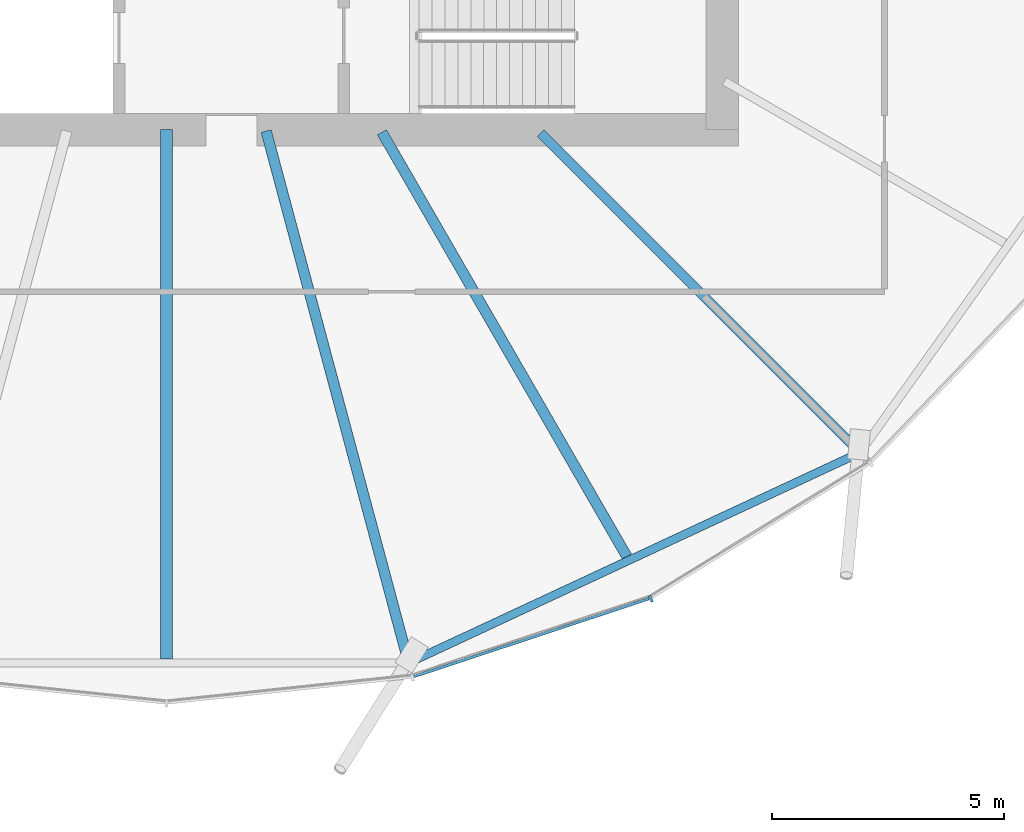
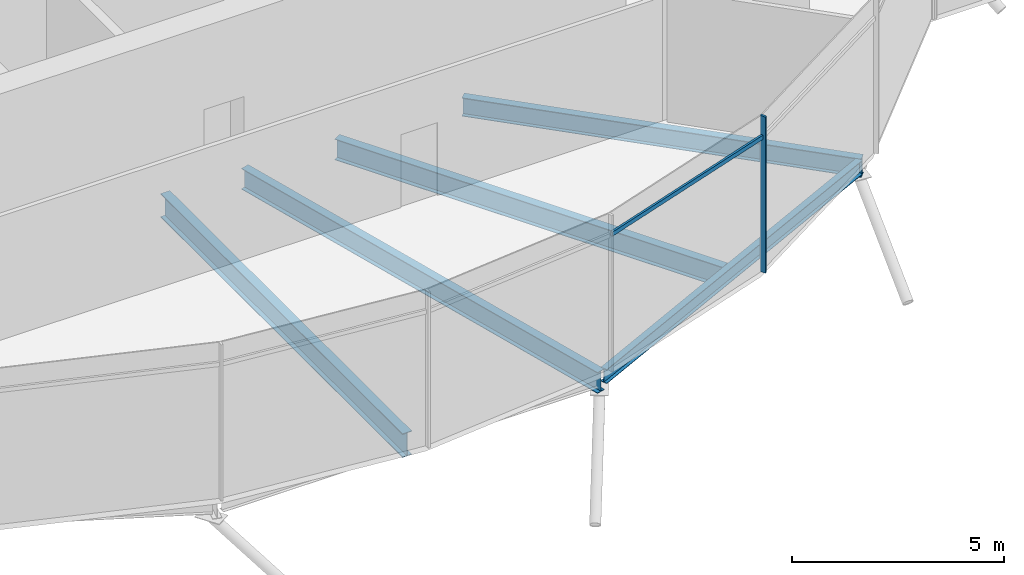
# One storey, part 4 of 36: 5 beams, 2 members, 1 element without a shape of its own.
"""IFC4 building model written with IfcOpenShell, lengths in metres."""

from ifc_helpers import new_model, si_unit, direction, frame, origin, origin_2d, place, context, subcontext, project, spatial, rectangle, i_section, extrude, material, material_profile, profile_set, type_object, element, aggregate, save


model = new_model("IFC4")

# Units and contexts
model_context = context("Model", 3, precision=1e-05, world=origin(), true_north=direction((0.0, 1.0)))
body_context = subcontext(model_context, "Body", "Model", "MODEL_VIEW")
ifc_project = project(units=[si_unit("LENGTHUNIT", "METRE"), si_unit("AREAUNIT", "SQUARE_METRE"), si_unit("VOLUMEUNIT", "CUBIC_METRE"), si_unit("PLANEANGLEUNIT", "RADIAN"), si_unit("MASSUNIT", "GRAM", prefix="KILO")], contexts=[model_context])

# Site, building, storey
site_placement = place(None, origin())
site = spatial("IfcSite", under=ifc_project, at=site_placement, CompositionType="ELEMENT")
building_placement = place(site_placement, origin())
building = spatial("IfcBuilding", under=site, at=building_placement, Name="Rimbun Link Towers", CompositionType="ELEMENT")
storey_placement = place(building_placement, frame((0.0, 0.0, 154.39990234375)))
storey = spatial("IfcBuildingStorey", under=building, at=storey_placement, Name="L37", CompositionType="ELEMENT", Elevation=154.39990234375)

# Curtain wall, members
ifc_material_1 = material(Name="Aluminium 6063-T6 and low-iron glass", Category="aluminium")
curtain_wall_type = type_object("IfcCurtainWallType", Name="CW5 full height lobby wall", PredefinedType="NOTDEFINED", material=ifc_material_1)
curtain_wall_placement = place(storey_placement, origin())
curtain_wall = element("IfcCurtainWall", 1, at=curtain_wall_placement, inside=storey, type_object=curtain_wall_type, Name="CW5 L37 T1", PredefinedType="NOTDEFINED")
ifc_material_2 = material(Name="Aluminium 6063-T6", Category="aluminium")
ifc_material_profile_1 = material_profile(ifc_material_2, rectangle(XDim=0.14990234375, YDim=0.06005859375, at=origin_2d()), Name="MULLION 60X150")
ifc_profile_set_1 = profile_set([ifc_material_profile_1], Name="Aluminium 6063-T6")
member_type_1 = type_object("IfcMemberType", Name="CW5 mullion 60X150", PredefinedType="MULLION", material=ifc_profile_set_1)
member_1_placement = place(storey_placement, frame((-21.29296875, -18.12548828125, 0.0), z_axis=(0.0, 0.0, 1.0), x_axis=(0.421697332152, -0.906736654192, 0.0)))
member_1 = element("IfcMember", 2, at=member_1_placement, type_object=member_type_1, Name="CW5 mullion", PredefinedType="MULLION", context=body_context, shape_type="SweptSolid", body=[
    extrude(rectangle(XDim=0.14990234375, YDim=0.06005859375, at=origin_2d()), origin(), (0.0, 0.0, 1.0), 4.5),
])
ifc_material_3 = material(Name="Aluminium 6063-T6", Category="aluminium")
ifc_material_profile_2 = material_profile(ifc_material_3, rectangle(XDim=0.06005859375, YDim=0.1201171875, at=origin_2d()), Name="TRANSOM 60X120")
ifc_profile_set_2 = profile_set([ifc_material_profile_2], Name="Aluminium 6063-T6")
member_type_2 = type_object("IfcMemberType", Name="CW5 transom 60X120", PredefinedType="USERDEFINED", material=ifc_profile_set_2)
member_2_placement = place(storey_placement, frame((-21.33349609375, -18.125732421875, 3.900146484375), z_axis=(-0.949234446974, -0.314569491016, 0.0), x_axis=(0.314569491016, -0.949234446974, 0.0)))
member_2 = element("IfcMember", 3, at=member_2_placement, type_object=member_type_2, Name="CW5 transom", ObjectType="TRANSOM", PredefinedType="USERDEFINED", context=body_context, shape_type="SweptSolid", body=[
    extrude(rectangle(XDim=0.06005859375, YDim=0.1201171875, at=origin_2d()), origin(), (0.0, 0.0, 1.0), 5.345947265625),
])
aggregate(curtain_wall, [member_1, member_2])

# Beams
ifc_material_4 = material(Name="Steel S355J2", Category="steel")
ifc_material_profile_3 = material_profile(ifc_material_4, i_section(OverallWidth=0.177978515625, OverallDepth=0.406494140625, WebThickness=0.0078125, FlangeThickness=0.0126953125, at=origin_2d()), Name="UB 406x178x60")
ifc_profile_set_3 = profile_set([ifc_material_profile_3], Name="Steel S355J2")
beam_type_1 = type_object("IfcBeamType", Name="UB 406x178x60", PredefinedType="BEAM", material=ifc_profile_set_3)
beam_1_placement = place(storey_placement, frame((-26.415771484375, -19.46435546875, -0.383056640625), z_axis=(0.906400585734, 0.422419197222, 0.0), x_axis=(-0.422419197222, 0.906400585734, 0.0)))
element("IfcBeam", 4, at=beam_1_placement, inside=storey, type_object=beam_type_1, Name="Edge beam T1 L37 19-21", PredefinedType="BEAM", context=body_context, shape_type="SweptSolid", body=[
    extrude(i_section(OverallWidth=0.177978515625, OverallDepth=0.406494140625, WebThickness=0.0078125, FlangeThickness=0.0126953125, at=origin_2d()), origin(), (0.0, 0.0, 1.0), 10.521240234375),
])
ifc_material_5 = material(Name="Steel S355J2", Category="steel")
ifc_material_profile_4 = material_profile(ifc_material_5, i_section(OverallWidth=0.209228515625, OverallDepth=0.533203125, WebThickness=0.010009765625, FlangeThickness=0.015625, at=origin_2d()), Name="UB 533x210x92")
ifc_profile_set_4 = profile_set([ifc_material_profile_4], Name="Steel S355J2")
beam_type_2 = type_object("IfcBeamType", Name="UB 533x210x92", PredefinedType="BEAM", material=ifc_profile_set_4)
beam_2_placement = place(storey_placement, frame((-23.67529296875, -8.07470703125, -0.4462890625), z_axis=(0.707106781187, -0.707106781187, 0.0), x_axis=(0.707106781187, 0.707106781187, 0.0)))
element("IfcBeam", 5, at=beam_2_placement, inside=storey, type_object=beam_type_2, Name="Radial beam T1 L37 21", PredefinedType="BEAM", context=body_context, shape_type="SweptSolid", body=[
    extrude(i_section(OverallWidth=0.209228515625, OverallDepth=0.533203125, WebThickness=0.010009765625, FlangeThickness=0.015625, at=origin_2d()), origin(), (0.0, 0.0, 1.0), 9.7548828125),
])
ifc_material_6 = material(Name="Steel S355J2", Category="steel")
ifc_material_profile_5 = material_profile(ifc_material_6, i_section(OverallWidth=0.2275390625, OverallDepth=0.6025390625, WebThickness=0.010498046875, FlangeThickness=0.014892578125, at=origin_2d()), Name="UB 610x229x101")
ifc_profile_set_5 = profile_set([ifc_material_profile_5], Name="Steel S355J2")
beam_type_3 = type_object("IfcBeamType", Name="UB 610x229x101", PredefinedType="BEAM", material=ifc_profile_set_5)
beam_3_placement = place(storey_placement, frame((-29.598388671875, -8.030517578125, -0.481201171875), z_axis=(0.258824365794, -0.965924400598, 0.0), x_axis=(0.965924400598, 0.258824365794, 0.0)))
element("IfcBeam", 6, at=beam_3_placement, inside=storey, type_object=beam_type_3, Name="Radial beam T1 L37 19", PredefinedType="BEAM", context=body_context, shape_type="SweptSolid", body=[
    extrude(i_section(OverallWidth=0.2275390625, OverallDepth=0.6025390625, WebThickness=0.010498046875, FlangeThickness=0.014892578125, at=origin_2d()), origin(), (0.0, 0.0, 1.0), 11.887939453125),
])
beam_4_placement = place(storey_placement, frame((-27.097900390625, -8.057861328125, -0.481201171875), z_axis=(0.500014158692, -0.866017229106, 0.0), x_axis=(0.866017229106, 0.500014158692, 0.0)))
element("IfcBeam", 7, at=beam_4_placement, inside=storey, type_object=beam_type_3, Name="Radial beam T1 L37 20", PredefinedType="BEAM", context=body_context, shape_type="SweptSolid", body=[
    extrude(i_section(OverallWidth=0.2275390625, OverallDepth=0.6025390625, WebThickness=0.010498046875, FlangeThickness=0.014892578125, at=origin_2d()), origin(), (0.0, 0.0, 1.0), 10.577392578125),
])
ifc_material_7 = material(Name="Steel S355J2", Category="steel")
ifc_material_profile_6 = material_profile(ifc_material_7, i_section(OverallWidth=0.253662109375, OverallDepth=0.68359375, WebThickness=0.012451171875, FlangeThickness=0.01904296875, at=origin_2d()), Name="UB 686x254x140")
ifc_profile_set_6 = profile_set([ifc_material_profile_6], Name="Steel S355J2")
beam_type_4 = type_object("IfcBeamType", Name="UB 686x254x140", PredefinedType="BEAM", material=ifc_profile_set_6)
beam_5_placement = place(storey_placement, frame((-31.75, -8.0009765625, -0.521484375), z_axis=(0.0, -1.0, 0.0), x_axis=(1.0, 0.0, 0.0)))
element("IfcBeam", 8, at=beam_5_placement, inside=storey, type_object=beam_type_4, Name="Radial beam T1 L37 18", PredefinedType="BEAM", context=body_context, shape_type="SweptSolid", body=[
    extrude(i_section(OverallWidth=0.253662109375, OverallDepth=0.68359375, WebThickness=0.012451171875, FlangeThickness=0.01904296875, at=origin_2d()), origin(), (0.0, 0.0, 1.0), 11.422607421875),
])

save(model, "model.ifc")
